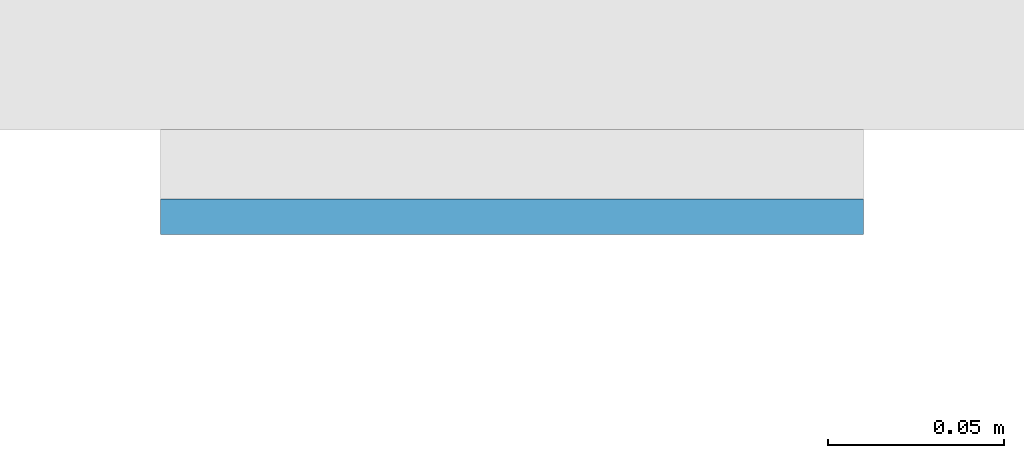
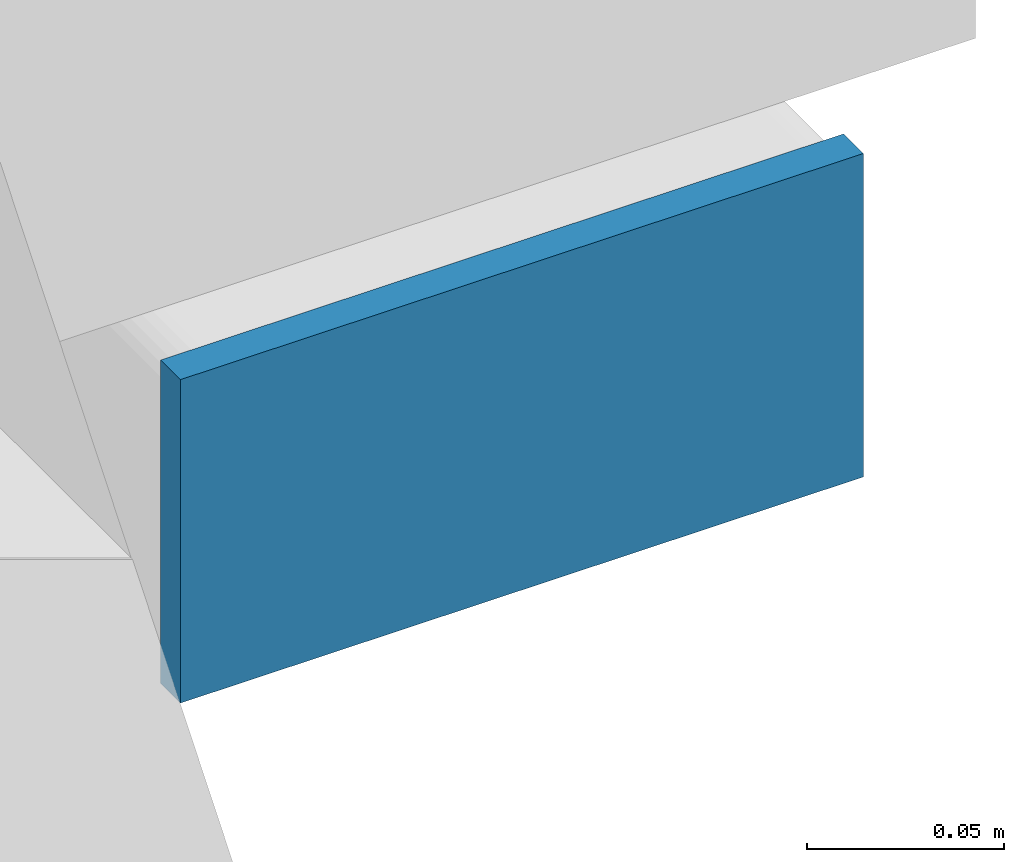
# One storey, part 12 of 22: 1 plate.
"""IFC4 building model written with IfcOpenShell, lengths in metres."""

from ifc_helpers import new_model, si_unit, direction, frame, origin, origin_2d, place, context, subcontext, project, spatial, rectangle, extrude, material, layer, layer_set, type_object, element, save


model = new_model("IFC4")

# Units and contexts
model_context = context("Model", 3, precision=1e-05, world=origin(), true_north=direction((0.0, 1.0)))
body_context = subcontext(model_context, "Body", "Model", "MODEL_VIEW")
ifc_project = project(units=[si_unit("LENGTHUNIT", "METRE"), si_unit("AREAUNIT", "SQUARE_METRE"), si_unit("VOLUMEUNIT", "CUBIC_METRE"), si_unit("PLANEANGLEUNIT", "RADIAN"), si_unit("MASSUNIT", "GRAM", prefix="KILO")], contexts=[model_context])

# Site, building, storey
site_placement = place(None, origin())
site = spatial("IfcSite", under=ifc_project, at=site_placement, CompositionType="ELEMENT")
building_placement = place(site_placement, origin())
building = spatial("IfcBuilding", under=site, at=building_placement, Name="Cleftline Residences", CompositionType="ELEMENT")
storey_placement = place(building_placement, frame((0.0, 0.0, 29.60009765625)))
storey = spatial("IfcBuildingStorey", under=building, at=storey_placement, Name="L06", CompositionType="ELEMENT", Elevation=29.60009765625)

# Plate
ifc_material = material(Name="Steel S355, hot-dip galvanised", Category="steel")
ifc_layer = layer(ifc_material, 0.010009765625)
ifc_layer_set = layer_set([ifc_layer], Name="BAGUETTE CARRIER END PLATE 200X100X10")
plate_type = type_object("IfcPlateType", Name="BAGUETTE CARRIER END PLATE 200X100X10", PredefinedType="USERDEFINED", material=ifc_layer_set)
plate_placement = place(storey_placement, frame((66.85009765625, 3.695068359375, -0.10009765625), z_axis=(0.0, 0.0, 1.0), x_axis=(1.0, 0.0, 0.0)))
element("IfcPlate", 1, at=plate_placement, inside=storey, type_object=plate_type, Name="Baguette carrier end plate", ObjectType="BAGUETTE CARRIER END PLATE", PredefinedType="USERDEFINED", context=body_context, shape_type="SweptSolid", body=[
    extrude(rectangle(XDim=0.199951171875, YDim=0.010009765625, at=origin_2d()), origin(), (0.0, 0.0, 1.0), 0.10009765625),
])

save(model, "model.ifc")
